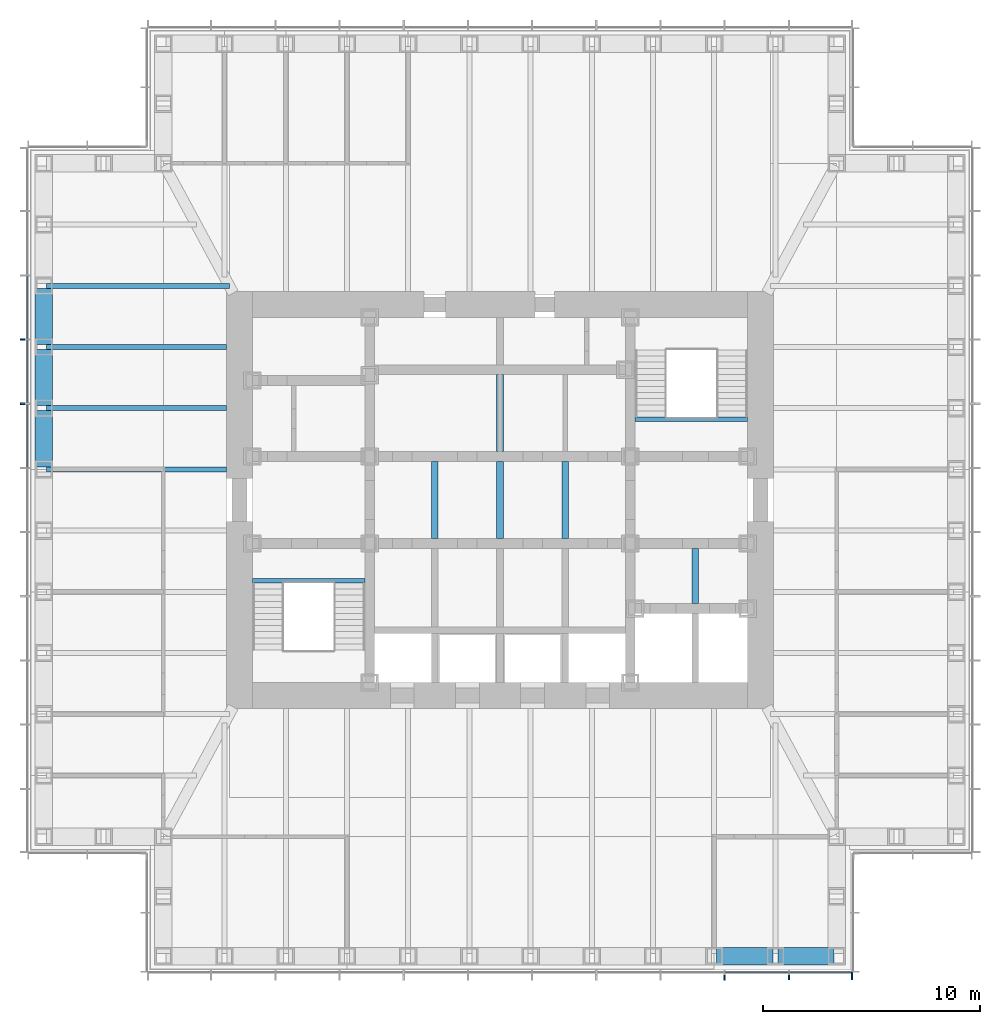
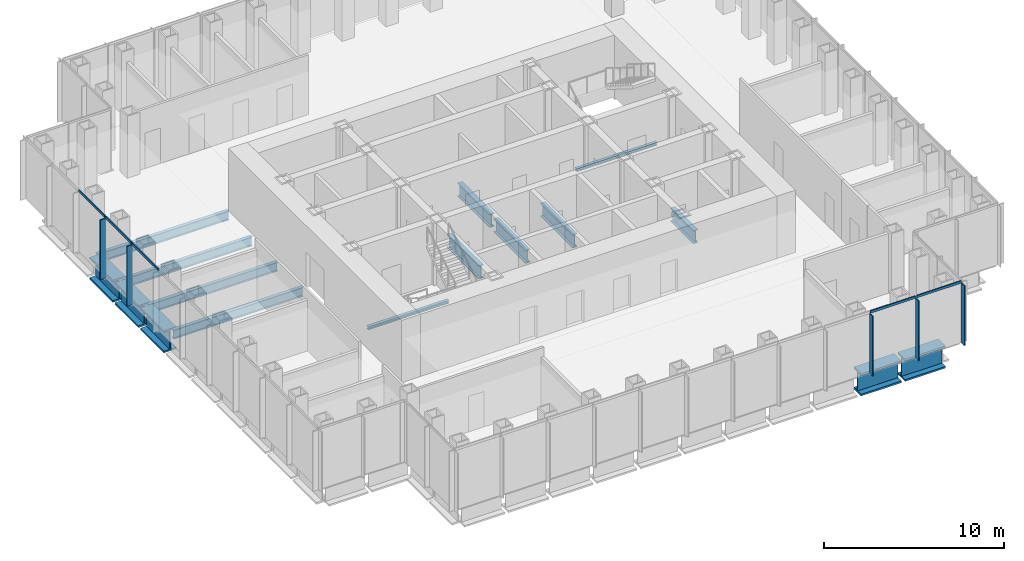
# One storey, part 3 of 16: 16 beams, 10 members, 2 elements without a shape of their own.
"""IFC4 building model written with IfcOpenShell, lengths in metres."""

import ifcopenshell
import ifcopenshell.guid

model = None  # the IFC model being written
_history = None  # IfcOwnerHistory: only IFC2X3 demands one
_inside = {}  # id of a spatial element -> (the spatial element, [elements in it])
_under = {}  # id of a project, library or spatial element -> (it, [spatial elements below it])
_declared = {}  # id of a project -> (the project, [libraries it declares])
_typed = {}  # id of a type object -> (the type object, [elements of that type])
_made_of = {}  # id of a material, layer set ... -> (it, [elements and type objects made of it])


def new_model(schema):
    """Start an empty IFC model of exactly this schema.

    Asked for "IFC4X3", IfcOpenShell would pick the latest addendum, in which some entities
    have other attributes; the version numbers below select the first issue.
    IFC2X3 requires an IfcOwnerHistory on every rooted entity: one is made here for all.
    """
    global model, _history
    if schema == "IFC4X3":
        model = ifcopenshell.file(schema_version=(4, 3, 0, 0))
    else:
        model = ifcopenshell.file(schema=schema)
    _inside.clear()
    _under.clear()
    _declared.clear()
    _typed.clear()
    _made_of.clear()
    _history = None
    if model.schema == "IFC2X3":
        org = make("IfcOrganization", Name="unknown")
        user = make(
            "IfcPersonAndOrganization",
            ThePerson=make("IfcPerson", FamilyName="unknown"),
            TheOrganization=org,
        )
        app = make(
            "IfcApplication",
            ApplicationDeveloper=org,
            Version="unknown",
            ApplicationFullName="unknown",
            ApplicationIdentifier="unknown",
        )
        _history = make(
            "IfcOwnerHistory",
            OwningUser=user,
            OwningApplication=app,
            ChangeAction="ADDED",
            CreationDate=0,
        )
    return model


def make(cls, **values):
    """One entity of the class cls with the attributes given. An attribute that is None is left unset."""
    return model.create_entity(
        cls, **{name: value for name, value in values.items() if value is not None}
    )


def rooted(cls, **values):
    """An entity with a GlobalId (a new one), such as an element, a storey or a relation."""
    return make(cls, GlobalId=ifcopenshell.guid.new(), OwnerHistory=_history, **values)


def si_unit(unit_type, name, prefix=None):
    """IfcSIUnit, for example si_unit("LENGTHUNIT", "METRE", prefix="MILLI")."""
    return make("IfcSIUnit", UnitType=unit_type, Prefix=prefix, Name=name)


def assignment(units):
    """IfcUnitAssignment: the units of a project."""
    return None if units is None else make("IfcUnitAssignment", Units=units)


def point(xyz):
    """IfcCartesianPoint."""
    return None if xyz is None else make("IfcCartesianPoint", Coordinates=xyz)


def direction(xyz):
    """IfcDirection."""
    return None if xyz is None else make("IfcDirection", DirectionRatios=xyz)


def frame(location, z_axis=None, x_axis=None):
    """IfcAxis2Placement3D, a coordinate frame: its origin and axes. An axis left out is left unset."""
    return make(
        "IfcAxis2Placement3D",
        Location=point(location),
        Axis=direction(z_axis),
        RefDirection=direction(x_axis),
    )


def frame_2d(location, x_axis=None):
    """IfcAxis2Placement2D, a coordinate frame in the plane: its origin and x axis."""
    return make(
        "IfcAxis2Placement2D", Location=point(location), RefDirection=direction(x_axis)
    )


def origin():
    """The frame at (0, 0, 0) with its axes left unset."""
    return frame((0.0, 0.0, 0.0))


def origin_2d():
    """The frame at (0, 0) in the plane with its x axis left unset."""
    return frame_2d((0.0, 0.0))


def place(relative_to, where):
    """IfcLocalPlacement: puts the frame where relative to a parent placement (None: the world)."""
    return make(
        "IfcLocalPlacement", PlacementRelTo=relative_to, RelativePlacement=where
    )


def context(
    kind, dimensions, precision=None, world=None, true_north=None, identifier=None
):
    """IfcGeometricRepresentationContext, for example the 3D "Model" context."""
    return make(
        "IfcGeometricRepresentationContext",
        ContextIdentifier=identifier,
        ContextType=kind,
        CoordinateSpaceDimension=dimensions,
        Precision=precision,
        WorldCoordinateSystem=world,
        TrueNorth=true_north,
    )


def subcontext(parent, identifier, kind, view, scale=None):
    """IfcGeometricRepresentationSubContext, for example "Body" below "Model"."""
    return make(
        "IfcGeometricRepresentationSubContext",
        ContextIdentifier=identifier,
        ContextType=kind,
        ParentContext=parent,
        TargetScale=scale,
        TargetView=view,
    )


def project(units=None, contexts=None):
    """IfcProject with its units and contexts."""
    return rooted(
        "IfcProject",
        Name="project",
        RepresentationContexts=contexts,
        UnitsInContext=assignment(units),
    )


def spatial(cls, under=None, at=None, **own):
    """A site, building, storey or space (cls), placed at a placement, below another one or the project."""
    s = rooted(cls, ObjectPlacement=at, **own)
    if under is not None:
        _under.setdefault(under.id(), (under, []))[1].append(s)
    return s


def profile(cls, at=None, kind="AREA", **sizes):
    """A parametric profile (cls). Its sizes go by their IFC names, for example OverallWidth=200.0."""
    return make(cls, ProfileType=kind, Position=at, **sizes)


def rectangle(**sizes):
    """IfcRectangleProfileDef."""
    return profile("IfcRectangleProfileDef", **sizes)


def i_section(**sizes):
    """IfcIShapeProfileDef."""
    return profile("IfcIShapeProfileDef", **sizes)


def extrude(swept, where, along, depth):
    """IfcExtrudedAreaSolid: the profile swept, set in the frame where, extruded along a direction by depth."""
    return make(
        "IfcExtrudedAreaSolid",
        SweptArea=swept,
        Position=where,
        ExtrudedDirection=direction(along),
        Depth=depth,
    )


def shape(context_of_items, identifier, shape_type, items):
    """IfcShapeRepresentation: the items that make up one representation, for example the "Body"."""
    return make(
        "IfcShapeRepresentation",
        ContextOfItems=context_of_items,
        RepresentationIdentifier=identifier,
        RepresentationType=shape_type,
        Items=items,
    )


def material(Name=None, Category=None):
    """IfcMaterial."""
    return make("IfcMaterial", Name=Name, Category=Category)


def material_profile(
    of_material, cross_section, Name=None, Category=None, Priority=None
):
    """IfcMaterialProfile: a cross section and its material."""
    return make(
        "IfcMaterialProfile",
        Name=Name,
        Material=of_material,
        Profile=cross_section,
        Priority=Priority,
        Category=Category,
    )


def profile_set(profiles, Name=None, composite=None):
    """IfcMaterialProfileSet."""
    return make(
        "IfcMaterialProfileSet",
        Name=Name,
        MaterialProfiles=profiles,
        CompositeProfile=composite,
    )


def made_of(thing, what):
    """Note that an element or type object is made of a material, layer set ...; save() writes the relation."""
    if what is not None:
        _made_of.setdefault(what.id(), (what, []))[1].append(thing)
    return thing


def type_object(cls, material=None, **own):
    """A type object (cls), such as IfcWallType, which elements share."""
    return made_of(rooted(cls, **own), material)


def element(
    cls,
    number,
    at=None,
    inside=None,
    cuts=None,
    type_object=None,
    material=None,
    context=None,
    identifier="Body",
    shape_type=None,
    held_by="IfcProductDefinitionShape",
    body=None,
    shapes=None,
    **own,
):
    """One element of the class cls, such as IfcWall. Its Tag is "e" and its number.

    at: its placement. inside: the storey or other place that contains it. cuts: it is an
    opening in that element (IfcRelVoidsElement). A single representation is given by context,
    identifier, shape_type and body (its items); several are given by shapes. held_by: the class
    of the entity that holds the representations. save() writes the other relations.
    """
    e = rooted(cls, Tag="e%d" % number, ObjectPlacement=at, **own)
    if body is not None:
        shapes = [shape(context, identifier, shape_type, body)]
    if shapes is not None:
        e.Representation = make(held_by, Representations=shapes)
    if inside is not None:
        _inside.setdefault(inside.id(), (inside, []))[1].append(e)
    if cuts is not None:
        rooted(
            "IfcRelVoidsElement", RelatingBuildingElement=cuts, RelatedOpeningElement=e
        )
    if type_object is not None:
        _typed.setdefault(type_object.id(), (type_object, []))[1].append(e)
    return made_of(e, material)


def aggregate(whole, parts):
    """IfcRelAggregates: a whole, such as a stair, and the parts it consists of."""
    return rooted("IfcRelAggregates", RelatingObject=whole, RelatedObjects=parts)


def save(model, path):
    """Write the relations noted so far, then the file.

    IfcRelAggregates (storeys below a building ...), IfcRelContainedInSpatialStructure (elements
    in a storey), IfcRelDefinesByType, IfcRelAssociatesMaterial and IfcRelDeclares: one each for
    every whole, place, type object, material and project.
    """
    for whole, parts in _under.values():
        aggregate(whole, parts)
    for where, things in _inside.values():
        rooted(
            "IfcRelContainedInSpatialStructure",
            RelatedElements=things,
            RelatingStructure=where,
        )
    for kind, things in _typed.values():
        rooted("IfcRelDefinesByType", RelatedObjects=things, RelatingType=kind)
    for what, things in _made_of.values():
        rooted("IfcRelAssociatesMaterial", RelatedObjects=things, RelatingMaterial=what)
    for by, libraries in _declared.values():
        rooted("IfcRelDeclares", RelatingContext=by, RelatedDefinitions=libraries)
    model.write(path)


model = new_model("IFC4")

# Units and contexts
model_context = context("Model", 3, precision=1e-05, world=origin(), true_north=direction((0.0, 1.0)))
body_context = subcontext(model_context, "Body", "Model", "MODEL_VIEW")
ifc_project = project(units=[si_unit("LENGTHUNIT", "METRE"), si_unit("AREAUNIT", "SQUARE_METRE"), si_unit("VOLUMEUNIT", "CUBIC_METRE"), si_unit("PLANEANGLEUNIT", "RADIAN"), si_unit("MASSUNIT", "GRAM", prefix="KILO")], contexts=[model_context])

# Site, building, storey
site_placement = place(None, origin())
site = spatial("IfcSite", under=ifc_project, at=site_placement, CompositionType="ELEMENT")
building_placement = place(site_placement, origin())
building = spatial("IfcBuilding", under=site, at=building_placement, Name="Daluyong Arena Tower", CompositionType="ELEMENT")
storey_placement = place(building_placement, frame((0.0, 0.0, 231.699951171875)))
storey = spatial("IfcBuildingStorey", under=building, at=storey_placement, Name="L52", CompositionType="ELEMENT", Elevation=231.699951171875)

# Curtain wall, members
ifc_material_1 = material(Name="Bronze anodised aluminium and glass", Category="aluminium")
curtain_wall_type = type_object("IfcCurtainWallType", Name="Curtain wall CW3", PredefinedType="USERDEFINED", material=ifc_material_1)
curtain_wall_1_placement = place(storey_placement, origin())
curtain_wall_1 = element("IfcCurtainWall", 1, at=curtain_wall_1_placement, inside=storey, type_object=curtain_wall_type, Name="curtain wall L52 S", ObjectType="UNITISED CURTAIN WALL", PredefinedType="USERDEFINED")
ifc_material_2 = material(Name="Bronze anodised aluminium fin", Category="aluminium")
ifc_material_profile_1 = material_profile(ifc_material_2, rectangle(XDim=0.35009765625, YDim=0.070068359375, at=origin_2d()))
ifc_profile_set_1 = profile_set([ifc_material_profile_1], Name="Bronze anodised aluminium fin")
member_type_1 = type_object("IfcMemberType", Name="CW3 bronze fin 350x70", PredefinedType="MULLION", material=ifc_profile_set_1)
member_1_placement = place(storey_placement, frame((66.3408203125, 58.074951171875, 0.0), z_axis=(0.0, 0.0, 1.0), x_axis=(0.0, 1.0, 0.0)))
member_1 = element("IfcMember", 2, at=member_1_placement, type_object=member_type_1, Name="curtain wall L52 S fin 10", PredefinedType="MULLION", context=body_context, shape_type="SweptSolid", body=[
    extrude(rectangle(XDim=0.35009765625, YDim=0.070068359375, at=origin_2d()), origin(), (0.0, 0.0, 1.0), 4.0400390625),
])
member_2_placement = place(storey_placement, frame((69.29541015625, 58.074951171875, 0.0), z_axis=(0.0, 0.0, 1.0), x_axis=(0.0, 1.0, 0.0)))
member_2 = element("IfcMember", 3, at=member_2_placement, type_object=member_type_1, Name="curtain wall L52 S fin 11", PredefinedType="MULLION", context=body_context, shape_type="SweptSolid", body=[
    extrude(rectangle(XDim=0.35009765625, YDim=0.070068359375, at=origin_2d()), origin(), (0.0, 0.0, 1.0), 4.0400390625),
])
member_3_placement = place(storey_placement, frame((72.215087890625, 58.074951171875, 0.0), z_axis=(0.0, 0.0, 1.0), x_axis=(0.0, 1.0, 0.0)))
member_3 = element("IfcMember", 4, at=member_3_placement, type_object=member_type_1, Name="curtain wall L52 S fin 12", PredefinedType="MULLION", context=body_context, shape_type="SweptSolid", body=[
    extrude(rectangle(XDim=0.35009765625, YDim=0.070068359375, at=origin_2d()), origin(), (0.0, 0.0, 1.0), 4.0400390625),
])

curtain_wall_2_placement = place(storey_placement, origin())
curtain_wall_2 = element("IfcCurtainWall", 5, at=curtain_wall_2_placement, inside=storey, type_object=curtain_wall_type, Name="curtain wall L52 W", ObjectType="UNITISED CURTAIN WALL", PredefinedType="USERDEFINED")
member_4_placement = place(storey_placement, frame((34.074951171875, 87.386474609375, 0.0), z_axis=(0.0, 0.0, 1.0), x_axis=(1.0, 0.0, 0.0)))
member_4 = element("IfcMember", 6, at=member_4_placement, type_object=member_type_1, Name="curtain wall L52 W fin 4", PredefinedType="MULLION", context=body_context, shape_type="SweptSolid", body=[
    extrude(rectangle(XDim=0.35009765625, YDim=0.070068359375, at=origin_2d()), origin(), (0.0, 0.0, 1.0), 4.0400390625),
])
member_5_placement = place(storey_placement, frame((34.074951171875, 84.431884765625, 0.0), z_axis=(0.0, 0.0, 1.0), x_axis=(1.0, 0.0, 0.0)))
member_5 = element("IfcMember", 7, at=member_5_placement, type_object=member_type_1, Name="curtain wall L52 W fin 5", PredefinedType="MULLION", context=body_context, shape_type="SweptSolid", body=[
    extrude(rectangle(XDim=0.35009765625, YDim=0.070068359375, at=origin_2d()), origin(), (0.0, 0.0, 1.0), 4.0400390625),
])

# Member
ifc_material_3 = material(Name="Bronze anodised aluminium", Category="aluminium")
ifc_material_profile_2 = material_profile(ifc_material_3, rectangle(XDim=0.070068359375, YDim=0.159912109375, at=origin_2d()))
ifc_profile_set_2 = profile_set([ifc_material_profile_2], Name="Bronze anodised aluminium")
member_type_2 = type_object("IfcMemberType", Name="CW3 stack transom 160x70", PredefinedType="USERDEFINED", material=ifc_profile_set_2)
member_6_placement = place(storey_placement, frame((66.3759765625, 58.25, 4.1201171875), z_axis=(1.0, 0.0, 0.0), x_axis=(0.0, 1.0, 0.0)))
member_6 = element("IfcMember", 8, at=member_6_placement, type_object=member_type_2, Name="curtain wall L52 S transom 10", ObjectType="TRANSOM", PredefinedType="USERDEFINED", context=body_context, shape_type="SweptSolid", body=[
    extrude(rectangle(XDim=0.070068359375, YDim=0.159912109375, at=origin_2d()), origin(), (0.0, 0.0, 1.0), 2.884521484375),
])

member_7_placement = place(storey_placement, frame((69.33056640625, 58.25, 4.1201171875), z_axis=(1.0, 0.0, 0.0), x_axis=(0.0, 1.0, 0.0)))
member_7 = element("IfcMember", 9, at=member_7_placement, type_object=member_type_2, Name="curtain wall L52 S transom 11", ObjectType="TRANSOM", PredefinedType="USERDEFINED", context=body_context, shape_type="SweptSolid", body=[
    extrude(rectangle(XDim=0.070068359375, YDim=0.159912109375, at=origin_2d()), origin(), (0.0, 0.0, 1.0), 2.849365234375),
])

aggregate(curtain_wall_1, [member_1, member_2, member_3, member_6, member_7])

member_8_placement = place(storey_placement, frame((34.25, 90.305908203125, 4.1201171875), z_axis=(0.0, -1.0, 0.0), x_axis=(1.0, 0.0, 0.0)))
member_8 = element("IfcMember", 10, at=member_8_placement, type_object=member_type_2, Name="curtain wall L52 W transom 3", ObjectType="TRANSOM", PredefinedType="USERDEFINED", context=body_context, shape_type="SweptSolid", body=[
    extrude(rectangle(XDim=0.070068359375, YDim=0.159912109375, at=origin_2d()), origin(), (0.0, 0.0, 1.0), 2.884521484375),
])

member_9_placement = place(storey_placement, frame((34.25, 87.351318359375, 4.1201171875), z_axis=(0.0, -1.0, 0.0), x_axis=(1.0, 0.0, 0.0)))
member_9 = element("IfcMember", 11, at=member_9_placement, type_object=member_type_2, Name="curtain wall L52 W transom 4", ObjectType="TRANSOM", PredefinedType="USERDEFINED", context=body_context, shape_type="SweptSolid", body=[
    extrude(rectangle(XDim=0.070068359375, YDim=0.159912109375, at=origin_2d()), origin(), (0.0, 0.0, 1.0), 2.884521484375),
])

member_10_placement = place(storey_placement, frame((34.25, 84.396728515625, 4.1201171875), z_axis=(0.0, -1.0, 0.0), x_axis=(1.0, 0.0, 0.0)))
member_10 = element("IfcMember", 12, at=member_10_placement, type_object=member_type_2, Name="curtain wall L52 W transom 5", ObjectType="TRANSOM", PredefinedType="USERDEFINED", context=body_context, shape_type="SweptSolid", body=[
    extrude(rectangle(XDim=0.070068359375, YDim=0.159912109375, at=origin_2d()), origin(), (0.0, 0.0, 1.0), 2.884521484375),
])

aggregate(curtain_wall_2, [member_4, member_5, member_8, member_9, member_10])

# Beams
ifc_material_4 = material(Name="Steel ASTM A992 Grade 50", Category="steel")
ifc_material_profile_3 = material_profile(ifc_material_4, i_section(OverallWidth=0.22900390625, OverallDepth=0.612060546875, WebThickness=0.011962890625, FlangeThickness=0.01953125, at=origin_2d()))
ifc_profile_set_3 = profile_set([ifc_material_profile_3], Name="Steel ASTM A992 Grade 50")
beam_type_1 = type_object("IfcBeamType", Name="Floor beam W24X84", PredefinedType="BEAM", material=ifc_profile_set_3)
beam_1_placement = place(storey_placement, frame((35.114990234375, 89.863525390625, -0.466064453125), z_axis=(1.0, 0.0, 0.0), x_axis=(0.0, 1.0, 0.0)))
element("IfcBeam", 13, at=beam_1_placement, inside=storey, type_object=beam_type_1, Name="floor beam FB3", PredefinedType="BEAM", context=body_context, shape_type="SweptSolid", body=[
    extrude(i_section(OverallWidth=0.22900390625, OverallDepth=0.612060546875, WebThickness=0.011962890625, FlangeThickness=0.01953125, at=origin_2d()), origin(), (0.0, 0.0, 1.0), 8.419921875),
])
for number, where, z_axis, x_axis, name in (
    (14, (35.114990234375, 87.04541015625, -0.466064453125), (1.0, 0.0, 0.0), (0.0, 1.0, 0.0), "floor beam FB3"),
    (15, (35.114990234375, 84.227294921875, -0.466064453125), (1.0, 0.0, 0.0), (0.0, 1.0, 0.0), "floor beam FB3"),
    (16, (35.114990234375, 81.4091796875, -0.466064453125), (1.0, 0.0, 0.0), (0.0, 1.0, 0.0), "floor beam FB3"),
):
    element("IfcBeam", number, at=place(storey_placement, frame(where, z_axis=z_axis, x_axis=x_axis)), inside=storey, type_object=beam_type_1, Name=name, PredefinedType="BEAM", context=body_context, shape_type="SweptSolid", body=[
        extrude(i_section(OverallWidth=0.22900390625, OverallDepth=0.612060546875, WebThickness=0.011962890625, FlangeThickness=0.01953125, at=origin_2d()), origin(), (0.0, 0.0, 1.0), 8.284912109375),
    ])
ifc_material_5 = material(Name="Steel ASTM A572 Grade 50", Category="steel")
ifc_material_profile_4 = material_profile(ifc_material_5, i_section(OverallWidth=0.300048828125, OverallDepth=0.89990234375, WebThickness=0.025, FlangeThickness=0.04, at=origin_2d()))
ifc_profile_set_4 = profile_set([ifc_material_profile_4], Name="Steel ASTM A572 Grade 50")
beam_type_2 = type_object("IfcBeamType", Name="Lift divider beam PG900X300", PredefinedType="BEAM", material=ifc_profile_set_4)
for number, where, z_axis, x_axis, name in (
    (17, (53.0, 78.22509765625, -0.60986328125), (0.0, 1.0, 0.0), (-1.0, 0.0, 0.0), "lift divider beam DB1"),
    (18, (56.0, 78.22509765625, -0.60986328125), (0.0, 1.0, 0.0), (-1.0, 0.0, 0.0), "lift divider beam DB1"),
    (19, (56.0, 82.22509765625, -0.60986328125), (0.0, 1.0, 0.0), (-1.0, 0.0, 0.0), "lift divider beam DB1"),
    (20, (59.0, 78.22509765625, -0.60986328125), (0.0, 1.0, 0.0), (-1.0, 0.0, 0.0), "lift divider beam DB1"),
):
    element("IfcBeam", number, at=place(storey_placement, frame(where, z_axis=z_axis, x_axis=x_axis)), inside=storey, type_object=beam_type_2, Name=name, PredefinedType="BEAM", context=body_context, shape_type="SweptSolid", body=[
        extrude(i_section(OverallWidth=0.300048828125, OverallDepth=0.89990234375, WebThickness=0.025, FlangeThickness=0.04, at=origin_2d()), origin(), (0.0, 0.0, 1.0), 3.5498046875),
    ])
beam_2_placement = place(storey_placement, frame((65.0, 75.22509765625, -0.60986328125), z_axis=(0.0, 1.0, 0.0), x_axis=(-1.0, 0.0, 0.0)))
element("IfcBeam", 21, at=beam_2_placement, inside=storey, type_object=beam_type_2, Name="lift divider beam DB1", PredefinedType="BEAM", context=body_context, shape_type="SweptSolid", body=[
    extrude(i_section(OverallWidth=0.300048828125, OverallDepth=0.89990234375, WebThickness=0.025, FlangeThickness=0.04, at=origin_2d()), origin(), (0.0, 0.0, 1.0), 2.5498046875),
])
ifc_material_6 = material(Name="Steel ASTM A588 Grade 50", Category="steel")
ifc_material_profile_5 = material_profile(ifc_material_6, i_section(OverallWidth=0.800048828125, OverallDepth=1.5, WebThickness=0.05, FlangeThickness=0.12, at=origin_2d()))
ifc_profile_set_5 = profile_set([ifc_material_profile_5], Name="Steel ASTM A588 Grade 50")
beam_type_3 = type_object("IfcBeamType", Name="Spandrel Z3 PG1500X800", PredefinedType="SPANDREL", material=ifc_profile_set_5)
beam_3_placement = place(storey_placement, frame((65.978515625, 59.0, -0.909912109375), z_axis=(1.0, 0.0, 0.0), x_axis=(0.0, 1.0, 0.0)))
element("IfcBeam", 22, at=beam_3_placement, inside=storey, type_object=beam_type_3, Name="spandrel z3 SB7", PredefinedType="SPANDREL", context=body_context, shape_type="SweptSolid", body=[
    extrude(i_section(OverallWidth=0.800048828125, OverallDepth=1.5, WebThickness=0.05, FlangeThickness=0.12, at=origin_2d()), origin(), (0.0, 0.0, 1.0), 2.58837890625),
])
for number, where, z_axis, x_axis, name in (
    (23, (68.796875, 59.0, -0.909912109375), (1.0, 0.0, 0.0), (0.0, 1.0, 0.0), "spandrel z3 SB7"),
    (24, (35.0, 89.74853515625, -0.909912109375), (0.0, -1.0, 0.0), (1.0, 0.0, 0.0), "spandrel z3 SB7"),
    (25, (35.0, 86.930419921875, -0.909912109375), (0.0, -1.0, 0.0), (1.0, 0.0, 0.0), "spandrel z3 SB7"),
    (26, (35.0, 84.1123046875, -0.909912109375), (0.0, -1.0, 0.0), (1.0, 0.0, 0.0), "spandrel z3 SB7"),
):
    element("IfcBeam", number, at=place(storey_placement, frame(where, z_axis=z_axis, x_axis=x_axis)), inside=storey, type_object=beam_type_3, Name=name, PredefinedType="SPANDREL", context=body_context, shape_type="SweptSolid", body=[
        extrude(i_section(OverallWidth=0.800048828125, OverallDepth=1.5, WebThickness=0.05, FlangeThickness=0.12, at=origin_2d()), origin(), (0.0, 0.0, 1.0), 2.588134765625),
    ])
ifc_material_7 = material(Name="Steel ASTM A992 Grade 50", Category="steel")
ifc_material_profile_6 = material_profile(ifc_material_7, i_section(OverallWidth=0.203125, OverallDepth=0.203125, WebThickness=0.00732421875, FlangeThickness=0.010986328125, at=origin_2d()))
ifc_profile_set_6 = profile_set([ifc_material_profile_6], Name="Steel ASTM A992 Grade 50")
beam_type_4 = type_object("IfcBeamType", Name="Stair landing beam W8X31", PredefinedType="BEAM", material=ifc_profile_set_6)
for number, where, z_axis, x_axis, name in (
    (27, (44.60009765625, 76.276611328125, -0.261474609375), (1.0, 0.0, 0.0), (0.0, 1.0, 0.0), "exit stair A landing beam"),
    (28, (62.22509765625, 83.723388671875, -0.261474609375), (1.0, 0.0, 0.0), (0.0, 1.0, 0.0), "exit stair B landing beam"),
):
    element("IfcBeam", number, at=place(storey_placement, frame(where, z_axis=z_axis, x_axis=x_axis)), inside=storey, type_object=beam_type_4, Name=name, PredefinedType="BEAM", context=body_context, shape_type="SweptSolid", body=[
        extrude(i_section(OverallWidth=0.203125, OverallDepth=0.203125, WebThickness=0.00732421875, FlangeThickness=0.010986328125, at=origin_2d()), origin(), (0.0, 0.0, 1.0), 5.1748046875),
    ])

save(model, "model.ifc")
